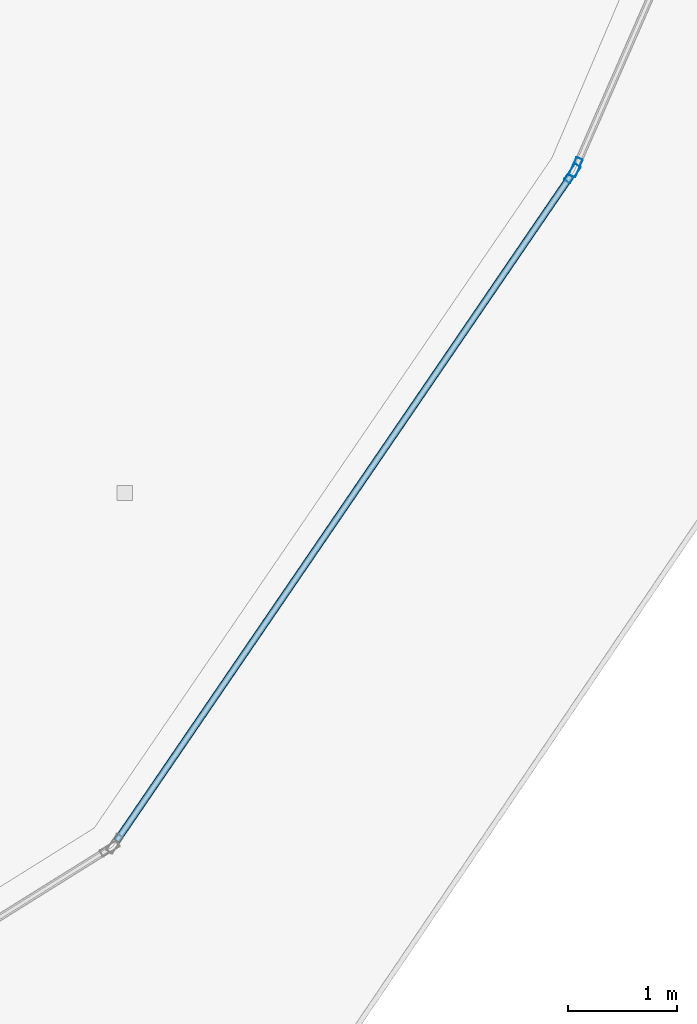
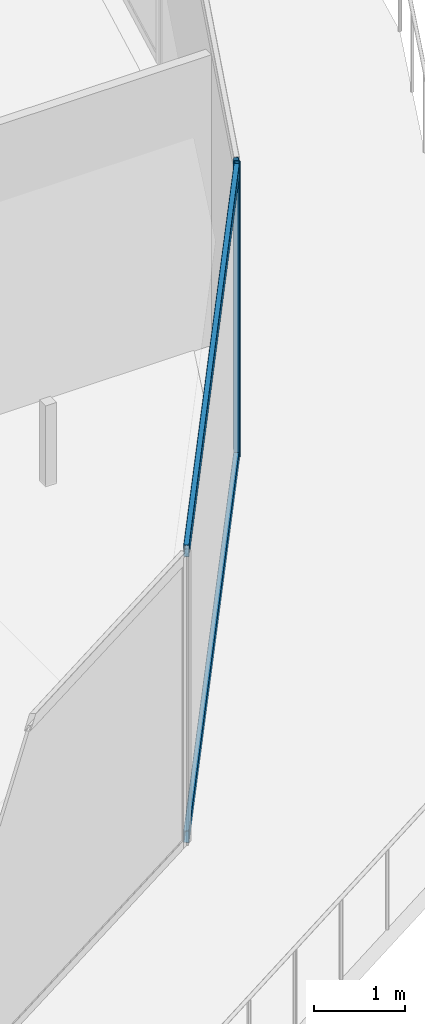
# One storey, part 10 of 44: 4 members, 2 elements without a shape of their own.
"""IFC4 building model written with IfcOpenShell, lengths in metres."""

from ifc_helpers import new_model, si_unit, direction, frame, origin, origin_2d, place, context, subcontext, project, spatial, hollow_rectangle, extrude, material, layer, layer_set, material_profile, profile_set, type_object, element, aggregate, save


model = new_model("IFC4")

# Units and contexts
model_context = context("Model", 3, precision=1e-05, world=origin(), true_north=direction((0.0, 1.0)))
body_context = subcontext(model_context, "Body", "Model", "MODEL_VIEW")
ifc_project = project(units=[si_unit("LENGTHUNIT", "METRE"), si_unit("AREAUNIT", "SQUARE_METRE"), si_unit("VOLUMEUNIT", "CUBIC_METRE"), si_unit("PLANEANGLEUNIT", "RADIAN"), si_unit("MASSUNIT", "GRAM", prefix="KILO")], contexts=[model_context])

# Site, building, storey
site_placement = place(None, origin())
site = spatial("IfcSite", under=ifc_project, at=site_placement, CompositionType="ELEMENT")
building_placement = place(site_placement, origin())
building = spatial("IfcBuilding", under=site, at=building_placement, Name="Qorvath Tower", CompositionType="ELEMENT")
storey_placement = place(building_placement, frame((0.0, 0.0, 53.39990234375)))
storey = spatial("IfcBuildingStorey", under=building, at=storey_placement, Name="L11", CompositionType="ELEMENT", Elevation=53.39990234375)

# Curtain wall, member
ifc_material_1 = material(Name="Anodised aluminium and triple low-E glass", Category="aluminium")
ifc_layer = layer(ifc_material_1, 0.179931640625)
ifc_layer_set = layer_set([ifc_layer], Name="CW-SYS-2")
curtain_wall_type = type_object("IfcCurtainWallType", Name="CW-SYS-2", PredefinedType="NOTDEFINED", material=ifc_layer_set)
curtain_wall_1_placement = place(storey_placement, origin())
curtain_wall_1 = element("IfcCurtainWall", 1, at=curtain_wall_1_placement, inside=storey, type_object=curtain_wall_type, Name="Curtain Wall CW-2 CW-T-L11-5.1", PredefinedType="NOTDEFINED")
ifc_material_2 = material(Name="Anodised aluminium 6063-T6", Category="aluminium")
ifc_material_profile_1 = material_profile(ifc_material_2, hollow_rectangle(XDim=0.06494140625, YDim=0.179931640625, WallThickness=0.00341796875, InnerFilletRadius=0.00341796875, OuterFilletRadius=0.007080078125, at=origin_2d()), Name="CWM 180x65")
ifc_profile_set_1 = profile_set([ifc_material_profile_1], Name="Anodised aluminium 6063-T6")
member_type_1 = type_object("IfcMemberType", Name="CWM-180", PredefinedType="MULLION", material=ifc_profile_set_1)
member_1_placement = place(storey_placement, frame((2.60498046875, -19.55615234375, 0.0), z_axis=(0.0, 0.0, 1.0), x_axis=(-0.825849008834, 0.563891314535, 0.0)))
member_1 = element("IfcMember", 2, at=member_1_placement, type_object=member_type_1, Name="CW-2 mullion 2", PredefinedType="MULLION", context=body_context, shape_type="SweptSolid", body=[
    extrude(hollow_rectangle(XDim=0.06494140625, YDim=0.179931640625, WallThickness=0.00341796875, InnerFilletRadius=0.00341796875, OuterFilletRadius=0.007080078125, at=origin_2d()), origin(), (0.0, 0.0, 1.0), 3.920166015625),
])

curtain_wall_2_placement = place(storey_placement, origin())
curtain_wall_2 = element("IfcCurtainWall", 3, at=curtain_wall_2_placement, inside=storey, type_object=curtain_wall_type, Name="Curtain Wall CW-2 CW-T-L11-6.1", PredefinedType="NOTDEFINED")
member_2_placement = place(storey_placement, frame((2.63623046875, -19.49951171875, 0.0), z_axis=(0.0, 0.0, 1.0), x_axis=(-0.916000523281, 0.401177069819, 0.0)))
member_2 = element("IfcMember", 4, at=member_2_placement, type_object=member_type_1, Name="CW-2 mullion 1", PredefinedType="MULLION", context=body_context, shape_type="SweptSolid", body=[
    extrude(hollow_rectangle(XDim=0.06494140625, YDim=0.179931640625, WallThickness=0.00341796875, InnerFilletRadius=0.00341796875, OuterFilletRadius=0.007080078125, at=origin_2d()), origin(), (0.0, 0.0, 1.0), 3.920166015625),
])
aggregate(curtain_wall_2, [member_2])

# Member
ifc_material_3 = material(Name="Anodised aluminium 6063-T6", Category="aluminium")
ifc_material_profile_2 = material_profile(ifc_material_3, hollow_rectangle(XDim=0.06494140625, YDim=0.159912109375, WallThickness=0.00341796875, InnerFilletRadius=0.00341796875, OuterFilletRadius=0.007080078125, at=origin_2d()), Name="CWT 160x65")
ifc_profile_set_2 = profile_set([ifc_material_profile_2], Name="Anodised aluminium 6063-T6")
member_type_2 = type_object("IfcMemberType", Name="CWT-160", PredefinedType="USERDEFINED", material=ifc_profile_set_2)
member_3_placement = place(storey_placement, frame((-1.567626953125, -25.6669921875, 0.032470703125), z_axis=(0.56390431925, 0.825840129039, 0.0), x_axis=(-0.825840129039, 0.56390431925, 0.0)))
member_3 = element("IfcMember", 5, at=member_3_placement, type_object=member_type_2, Name="CW-2 transom 1.1", ObjectType="TRANSOM", PredefinedType="USERDEFINED", context=body_context, shape_type="SweptSolid", body=[
    extrude(hollow_rectangle(XDim=0.06494140625, YDim=0.159912109375, WallThickness=0.00341796875, InnerFilletRadius=0.00341796875, OuterFilletRadius=0.007080078125, at=origin_2d()), origin(), (0.0, 0.0, 1.0), 7.366943359375),
])

member_4_placement = place(storey_placement, frame((-1.567626953125, -25.6669921875, 3.8876953125), z_axis=(0.56390431925, 0.825840129039, 0.0), x_axis=(-0.825840129039, 0.56390431925, 0.0)))
member_4 = element("IfcMember", 6, at=member_4_placement, type_object=member_type_2, Name="CW-2 transom 1.2", ObjectType="TRANSOM", PredefinedType="USERDEFINED", context=body_context, shape_type="SweptSolid", body=[
    extrude(hollow_rectangle(XDim=0.06494140625, YDim=0.159912109375, WallThickness=0.00341796875, InnerFilletRadius=0.00341796875, OuterFilletRadius=0.007080078125, at=origin_2d()), origin(), (0.0, 0.0, 1.0), 7.366943359375),
])

aggregate(curtain_wall_1, [member_1, member_3, member_4])

save(model, "model.ifc")
